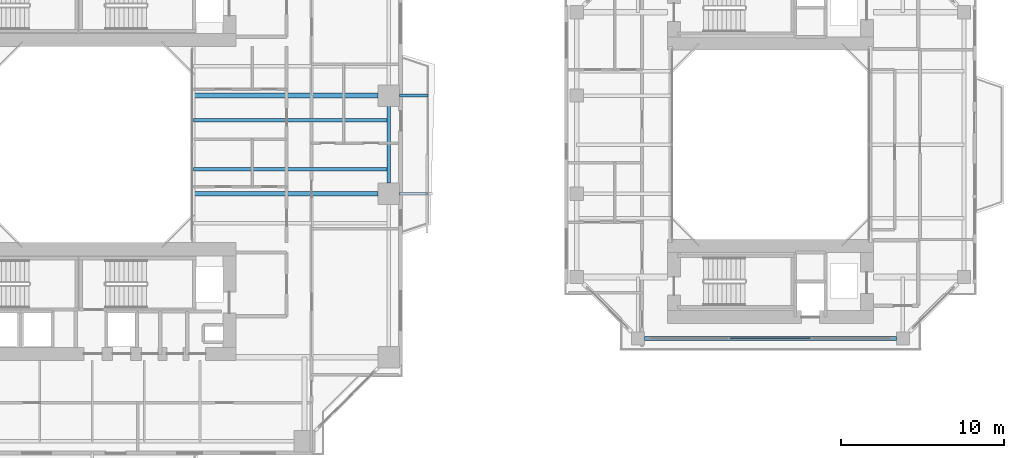
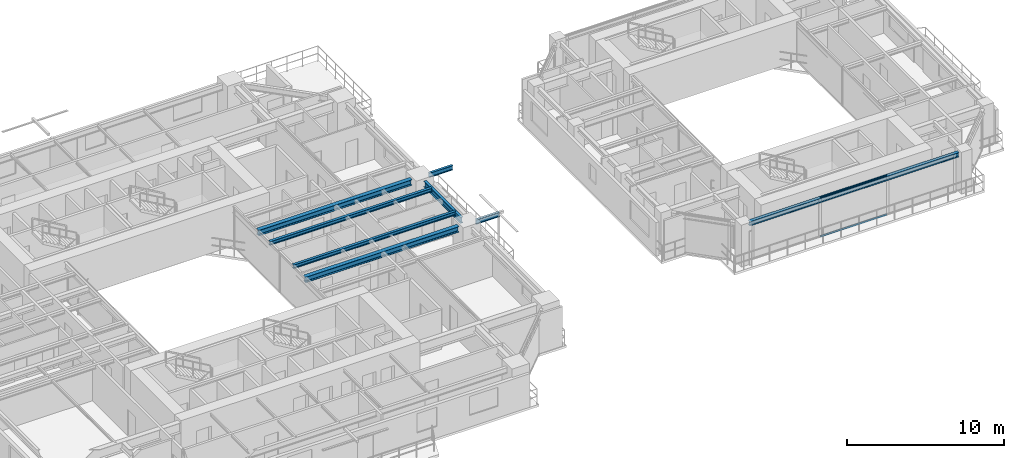
# One storey, part 6 of 23: 8 beams, 2 members, 1 element without a shape of its own.
"""IFC4 building model written with IfcOpenShell, lengths in metres."""

from ifc_helpers import new_model, si_unit, direction, frame, origin, origin_2d, place, context, subcontext, project, spatial, rectangle, i_section, extrude, source, transform, mapped, material, layer, layer_set, material_profile, profile_set, type_object, element, aggregate, save


model = new_model("IFC4")

# Units and contexts
model_context = context("Model", 3, precision=1e-05, world=origin(), true_north=direction((0.0, 1.0)))
body_context = subcontext(model_context, "Body", "Model", "MODEL_VIEW")
ifc_project = project(units=[si_unit("LENGTHUNIT", "METRE"), si_unit("AREAUNIT", "SQUARE_METRE"), si_unit("VOLUMEUNIT", "CUBIC_METRE"), si_unit("PLANEANGLEUNIT", "RADIAN"), si_unit("MASSUNIT", "GRAM", prefix="KILO"), si_unit("THERMODYNAMICTEMPERATUREUNIT", "KELVIN"), si_unit("POWERUNIT", "WATT")], contexts=[model_context])

# Site, building, storey
site_placement = place(None, origin())
site = spatial("IfcSite", under=ifc_project, at=site_placement, CompositionType="ELEMENT")
building_placement = place(site_placement, origin())
building = spatial("IfcBuilding", under=site, at=building_placement, Name="Qiaomeng Ring Towers", CompositionType="ELEMENT")
storey_placement = place(building_placement, frame((0.0, 0.0, 82.75)))
storey = spatial("IfcBuildingStorey", under=building, at=storey_placement, Name="L23", CompositionType="ELEMENT", Elevation=82.75)

# Beams
ifc_material_1 = material(Name="Steel Q355B", Category="steel")
ifc_material_profile_1 = material_profile(ifc_material_1, i_section(OverallWidth=0.199951171875, OverallDepth=0.449951171875, WebThickness=0.009033203125, FlangeThickness=0.013916015625, FilletRadius=0.01806640625, at=origin_2d()), Name="HN 450x200x9x14")
ifc_profile_set_1 = profile_set([ifc_material_profile_1], Name="Steel Q355B")
beam_type_1 = type_object("IfcBeamType", Name="STR-BM-HN450", PredefinedType="SPANDREL", material=ifc_profile_set_1)
shared_shape_1 = source(origin(), body_context, "Body", "SweptSolid", [
    extrude(i_section(OverallWidth=0.199951171875, OverallDepth=0.449951171875, WebThickness=0.009033203125, FlangeThickness=0.013916015625, FilletRadius=0.01806640625, at=origin_2d()), origin(), (0.0, 0.0, 1.0), 4.7021484375),
])
beam_1_placement = place(storey_placement, frame((37.14990234375, 20.64892578125, 2.844970703125), z_axis=(0.0, 1.0, 0.0), x_axis=(-1.0, 0.0, 0.0)))
element("IfcBeam", 1, at=beam_1_placement, inside=storey, type_object=beam_type_1, Name="L23 beam STR-SP-L23-T1-E2-E3", PredefinedType="SPANDREL", context=body_context, shape_type="MappedRepresentation", body=[
    mapped(shared_shape_1, transform((0.0, 0.0, 0.0), x_axis=(1.0, 0.0, 0.0), y_axis=(0.0, 1.0, 0.0), z_axis=(0.0, 0.0, 1.0), scale=1.0)),
])
ifc_material_profile_2 = material_profile(ifc_material_1, i_section(OverallWidth=0.300048828125, OverallDepth=0.43994140625, WebThickness=0.010986328125, FlangeThickness=0.01806640625, FilletRadius=0.02392578125, at=origin_2d()), Name="HM 440x300x11x18")
ifc_profile_set_2 = profile_set([ifc_material_profile_2], Name="Steel Q355B")
beam_type_2 = type_object("IfcBeamType", Name="STR-BM-HM440", PredefinedType="BEAM", material=ifc_profile_set_2)
shared_shape_2 = source(origin(), body_context, "Body", "SweptSolid", [
    extrude(i_section(OverallWidth=0.300048828125, OverallDepth=0.43994140625, WebThickness=0.010986328125, FlangeThickness=0.01806640625, FilletRadius=0.02392578125, at=origin_2d()), origin(), (0.0, 0.0, 1.0), 11.301025390625),
])
for number, where, z_axis, x_axis, name in (
    (2, (25.199951171875, 20.0, 2.85009765625), (1.0, 0.0, 0.0), (0.0, 1.0, 0.0), "L23 beam STR-BM-L23-T1-RAD-E2"),
    (3, (25.199951171875, 26.0, 2.85009765625), (1.0, 0.0, 0.0), (0.0, 1.0, 0.0), "L23 beam STR-BM-L23-T1-RAD-E3"),
):
    element("IfcBeam", number, at=place(storey_placement, frame(where, z_axis=z_axis, x_axis=x_axis)), inside=storey, type_object=beam_type_2, Name=name, PredefinedType="BEAM", context=body_context, shape_type="MappedRepresentation", body=[
        mapped(shared_shape_2, transform((0.0, 0.0, 0.0), x_axis=(1.0, 0.0, 0.0), y_axis=(0.0, 1.0, 0.0), z_axis=(0.0, 0.0, 1.0), scale=1.0)),
    ])
ifc_material_profile_3 = material_profile(ifc_material_1, i_section(OverallWidth=0.199951171875, OverallDepth=0.2939453125, WebThickness=0.008056640625, FlangeThickness=0.011962890625, FilletRadius=0.01806640625, at=origin_2d()), Name="HM 294x200x8x12")
ifc_profile_set_3 = profile_set([ifc_material_profile_3], Name="Steel Q355B")
beam_type_3 = type_object("IfcBeamType", Name="STR-BM-HM294", PredefinedType="JOIST", material=ifc_profile_set_3)
shared_shape_3 = source(origin(), body_context, "Body", "SweptSolid", [
    extrude(i_section(OverallWidth=0.199951171875, OverallDepth=0.2939453125, WebThickness=0.008056640625, FlangeThickness=0.011962890625, FilletRadius=0.01806640625, at=origin_2d()), origin(), (0.0, 0.0, 1.0), 11.949951171875),
])
for number, where, z_axis, x_axis, name in (
    (4, (25.199951171875, 21.5, 2.923095703125), (1.0, 0.0, 0.0), (0.0, 1.0, 0.0), "L23 beam STR-JST-L23-T1E-2"),
    (5, (25.199951171875, 24.5, 2.923095703125), (1.0, 0.0, 0.0), (0.0, 1.0, 0.0), "L23 beam STR-JST-L23-T1E-3"),
):
    element("IfcBeam", number, at=place(storey_placement, frame(where, z_axis=z_axis, x_axis=x_axis)), inside=storey, type_object=beam_type_3, Name=name, PredefinedType="JOIST", context=body_context, shape_type="MappedRepresentation", body=[
        mapped(shared_shape_3, transform((0.0, 0.0, 0.0), x_axis=(1.0, 0.0, 0.0), y_axis=(0.0, 1.0, 0.0), z_axis=(0.0, 0.0, 1.0), scale=1.0)),
    ])
ifc_material_profile_4 = material_profile(ifc_material_1, i_section(OverallWidth=0.25, OverallDepth=0.340087890625, WebThickness=0.009033203125, FlangeThickness=0.013916015625, FilletRadius=0.02001953125, at=origin_2d()), Name="HM 340x250x9x14")
ifc_profile_set_4 = profile_set([ifc_material_profile_4], Name="Steel Q355B")
beam_type_4 = type_object("IfcBeamType", Name="STR-BM-HM340", PredefinedType="SPANDREL", material=ifc_profile_set_4)
shared_shape_4 = source(origin(), body_context, "Body", "SweptSolid", [
    extrude(i_section(OverallWidth=0.25, OverallDepth=0.340087890625, WebThickness=0.009033203125, FlangeThickness=0.013916015625, FilletRadius=0.02001953125, at=origin_2d()), origin(), (0.0, 0.0, 1.0), 15.40185546875),
])
beam_2_placement = place(storey_placement, frame((52.799072265625, 11.14990234375, 2.89990234375), z_axis=(1.0, 0.0, 0.0), x_axis=(0.0, 1.0, 0.0)))
element("IfcBeam", 6, at=beam_2_placement, inside=storey, type_object=beam_type_4, Name="L23 beam STR-SP-L23-T2-S1-S2", PredefinedType="SPANDREL", context=body_context, shape_type="MappedRepresentation", body=[
    mapped(shared_shape_4, transform((0.0, 0.0, 0.0), x_axis=(1.0, 0.0, 0.0), y_axis=(0.0, 1.0, 0.0), z_axis=(0.0, 0.0, 1.0), scale=1.0)),
])
ifc_material_profile_5 = material_profile(ifc_material_1, i_section(OverallWidth=0.175048828125, OverallDepth=0.35009765625, WebThickness=0.007080078125, FlangeThickness=0.010986328125, FilletRadius=0.013916015625, at=origin_2d()), Name="HN 350x175x7x11")
ifc_profile_set_5 = profile_set([ifc_material_profile_5], Name="Steel Q355B")
beam_type_5 = type_object("IfcBeamType", Name="STR-BM-HN350", PredefinedType="JOIST", material=ifc_profile_set_5)
shared_shape_5 = source(origin(), body_context, "Body", "SweptSolid", [
    extrude(i_section(OverallWidth=0.175048828125, OverallDepth=0.35009765625, WebThickness=0.007080078125, FlangeThickness=0.010986328125, FilletRadius=0.013916015625, at=origin_2d()), origin(), (0.0, 0.0, 1.0), 1.740966796875),
])
for number, where, z_axis, x_axis, name in (
    (7, (37.799072265625, 20.0, 2.89501953125), (1.0, 0.0, 0.0), (0.0, 1.0, 0.0), "L23 beam STR-BALBM-L23-E2"),
    (8, (37.799072265625, 26.0, 2.89501953125), (1.0, 0.0, 0.0), (0.0, 1.0, 0.0), "L23 beam STR-BALBM-L23-E3"),
):
    element("IfcBeam", number, at=place(storey_placement, frame(where, z_axis=z_axis, x_axis=x_axis)), inside=storey, type_object=beam_type_5, Name=name, PredefinedType="JOIST", context=body_context, shape_type="MappedRepresentation", body=[
        mapped(shared_shape_5, transform((0.0, 0.0, 0.0), x_axis=(1.0, 0.0, 0.0), y_axis=(0.0, 1.0, 0.0), z_axis=(0.0, 0.0, 1.0), scale=1.0)),
    ])

# Curtain wall, members
ifc_material_2 = material(Name="Fluorocarbon dark-grey aluminium", Category="aluminium")
ifc_layer = layer(ifc_material_2, 0.14990234375, Name="Fluorocarbon dark-grey aluminium")
ifc_layer_set = layer_set([ifc_layer], Name="Fluorocarbon dark-grey aluminium")
curtain_wall_type = type_object("IfcCurtainWallType", Name="ARC-CW-5", PredefinedType="NOTDEFINED", material=ifc_layer_set)
curtain_wall_placement = place(storey_placement, origin())
curtain_wall = element("IfcCurtainWall", 9, at=curtain_wall_placement, inside=storey, type_object=curtain_wall_type, Name="L23 Curtain Wall CW5", PredefinedType="NOTDEFINED")
ifc_material_profile_6 = material_profile(ifc_material_2, rectangle(XDim=0.06494140625, YDim=0.1298828125, at=origin_2d()), Name="ALU TRAN 65x130")
ifc_profile_set_6 = profile_set([ifc_material_profile_6], Name="Fluorocarbon dark-grey aluminium")
member_type = type_object("IfcMemberType", Name="ARC-CWT-120", PredefinedType="USERDEFINED", material=ifc_profile_set_6)
shared_shape_6 = source(origin(), body_context, "Body", "SweptSolid", [
    extrude(rectangle(XDim=0.06494140625, YDim=0.1298828125, at=origin_2d()), origin(), (0.0, 0.0, 1.0), 4.9033203125),
])
member_1_placement = place(storey_placement, frame((58.04833984375, 11.14990234375, 0.032470703125), z_axis=(1.0, 0.0, 0.0), x_axis=(0.0, 1.0, 0.0)))
member_1 = element("IfcMember", 10, at=member_1_placement, type_object=member_type, Name="CW5 transom 2.1", ObjectType="TRANSOM", PredefinedType="USERDEFINED", context=body_context, shape_type="MappedRepresentation", body=[
    mapped(shared_shape_6, transform((0.0, 0.0, 0.0), x_axis=(1.0, 0.0, 0.0), y_axis=(0.0, 1.0, 0.0), z_axis=(0.0, 0.0, 1.0), scale=1.0)),
])
member_2_placement = place(storey_placement, frame((58.04833984375, 11.14990234375, 3.03759765625), z_axis=(1.0, 0.0, 0.0), x_axis=(0.0, 1.0, 0.0)))
member_2 = element("IfcMember", 11, at=member_2_placement, type_object=member_type, Name="CW5 transom 2.2", ObjectType="TRANSOM", PredefinedType="USERDEFINED", context=body_context, shape_type="MappedRepresentation", body=[
    mapped(shared_shape_6, transform((0.0, 0.0, 0.0), x_axis=(1.0, 0.0, 0.0), y_axis=(0.0, 1.0, 0.0), z_axis=(0.0, 0.0, 1.0), scale=1.0)),
])
aggregate(curtain_wall, [member_1, member_2])

save(model, "model.ifc")
